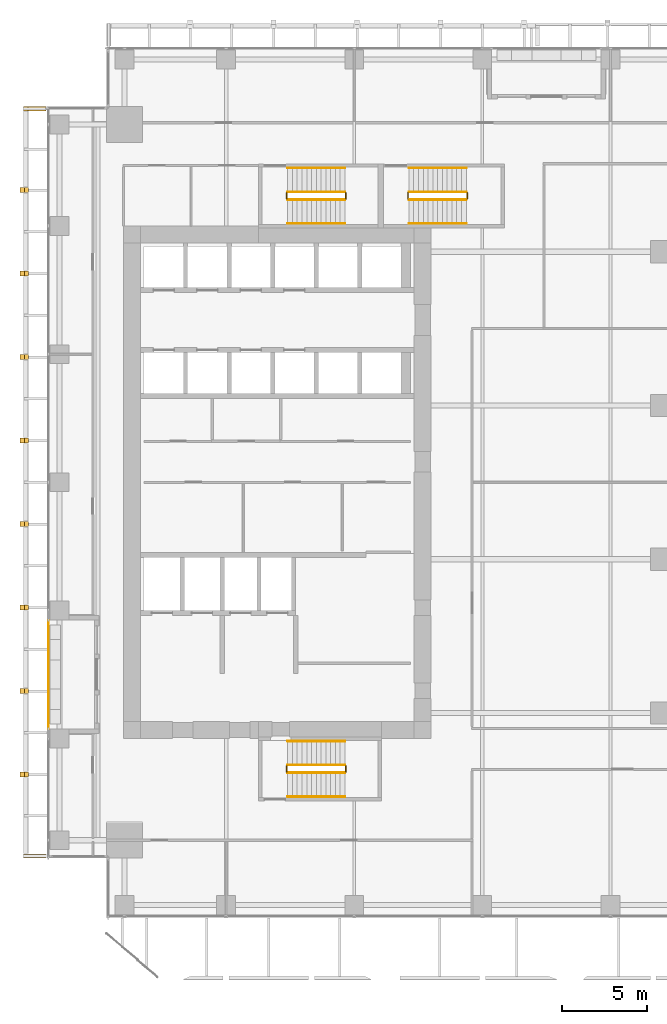
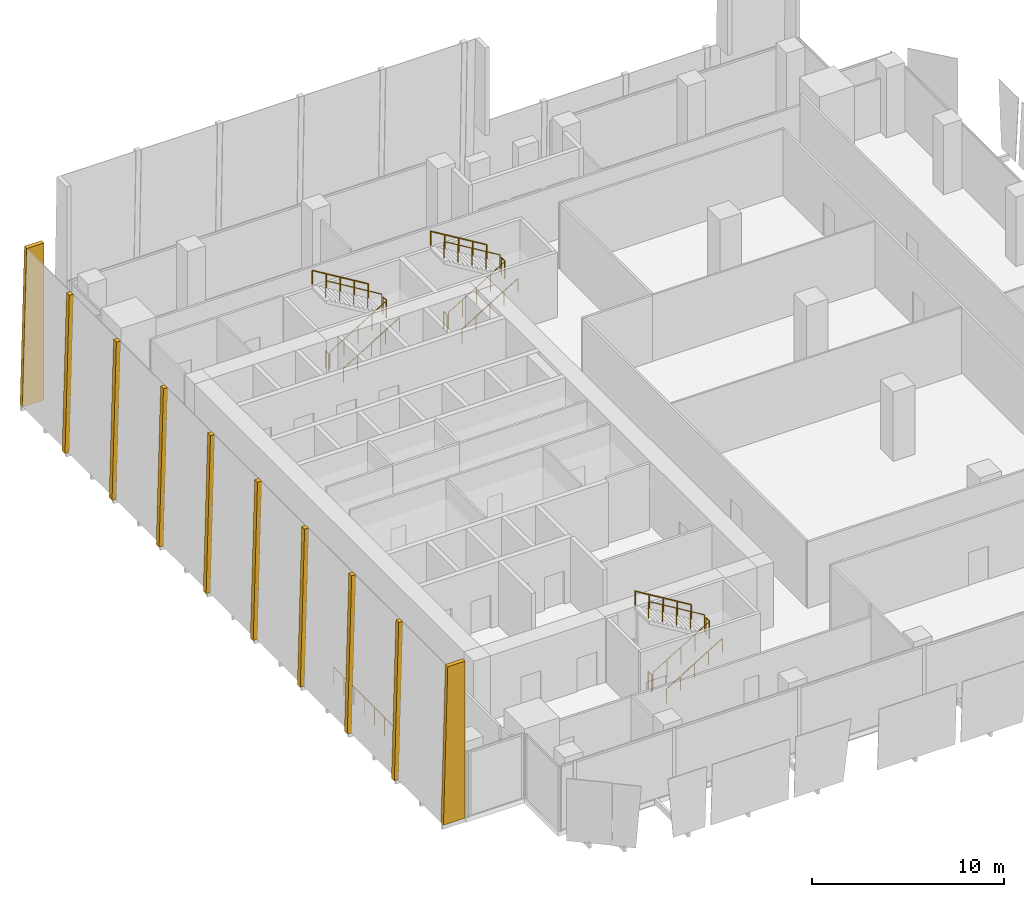
# One storey, part 32 of 34: 19 railings, 10 coverings.
"""IFC4 building model written with IfcOpenShell, lengths in metres."""

from ifc_helpers import new_model, si_unit, direction, frame, origin, origin_2d, place, context, subcontext, project, spatial, polyline, circle, outline, extrude, source, transform, mapped, material, layer, layer_set, type_object, element, save


model = new_model("IFC4")

# Units and contexts
model_context = context("Model", 3, precision=1e-05, world=origin(), true_north=direction((0.0, 1.0)))
body_context = subcontext(model_context, "Body", "Model", "MODEL_VIEW")
ifc_project = project(units=[si_unit("LENGTHUNIT", "METRE"), si_unit("AREAUNIT", "SQUARE_METRE"), si_unit("VOLUMEUNIT", "CUBIC_METRE"), si_unit("PLANEANGLEUNIT", "RADIAN"), si_unit("MASSUNIT", "GRAM", prefix="KILO")], contexts=[model_context])

# Site, building, storey
site_placement = place(None, origin())
site = spatial("IfcSite", under=ifc_project, at=site_placement, CompositionType="ELEMENT")
building_placement = place(site_placement, origin())
building = spatial("IfcBuilding", under=site, at=building_placement, Name="Khomas Fold Tower", CompositionType="ELEMENT")
storey_placement = place(building_placement, frame((0.0, 0.0, 154.300048828125)))
storey = spatial("IfcBuildingStorey", under=building, at=storey_placement, Name="L33", CompositionType="ELEMENT", Elevation=154.300048828125)

# Coverings
ifc_material_1 = material(Name="Natural stone cladding", Category="masonry")
ifc_layer = layer(ifc_material_1, 0.25)
ifc_layer_set = layer_set([ifc_layer], Name="Natural stone cladding")
covering_type = type_object("IfcCoveringType", Name="SK-Karibib marble stone mullion", PredefinedType="CLADDING", material=ifc_layer_set)
for number, where, z_axis, x_axis, name in (
    (1, (-0.0673828125, 9.73876953125, 0.006591796875), (-0.999656815942, 0.0, 0.026196380307), (0.0, 1.0, 0.0), "OUTER SKIN mullion L33 W2"),
    (2, (-0.0673828125, 14.627685546875, 0.006591796875), (-0.999656815942, 0.0, 0.026196380307), (0.0, 1.0, 0.0), "OUTER SKIN mullion L33 W4"),
    (3, (-0.0673828125, 19.5166015625, 0.006591796875), (-0.999656815942, 0.0, 0.026196380307), (0.0, 1.0, 0.0), "OUTER SKIN mullion L33 W6"),
    (4, (-0.0673828125, 24.405517578125, 0.006591796875), (-0.999656815942, 0.0, 0.026196380307), (0.0, 1.0, 0.0), "OUTER SKIN mullion L33 W8"),
    (5, (-0.0673828125, 29.29443359375, 0.006591796875), (-0.999656815942, 0.0, 0.026196380307), (0.0, 1.0, 0.0), "OUTER SKIN mullion L33 W10"),
    (6, (-0.0673828125, 34.183349609375, 0.006591796875), (-0.999656815942, 0.0, 0.026196380307), (0.0, 1.0, 0.0), "OUTER SKIN mullion L33 W12"),
    (7, (-0.0673828125, 39.072265625, 0.006591796875), (-0.999656815942, 0.0, 0.026196380307), (0.0, 1.0, 0.0), "OUTER SKIN mullion L33 W14"),
    (8, (-0.0673828125, 43.961181640625, 0.006591796875), (-0.999656815942, 0.0, 0.026196380307), (0.0, 1.0, 0.0), "OUTER SKIN mullion L33 W16"),
):
    element("IfcCovering", number, at=place(storey_placement, frame(where, z_axis=z_axis, x_axis=x_axis)), inside=storey, type_object=covering_type, Name=name, PredefinedType="CLADDING", context=body_context, shape_type="SweptSolid", body=[
        extrude(outline(polyline([(0.0, 0.0), (0.300048828125, 0.0), (0.300048828125, -9.953367008758342), (0.0, -9.953367008758342), (0.0, 0.0)])), origin(), (0.0, 0.0, -1.0), 0.25),
    ])
covering_1_placement = place(storey_placement, frame((1.449951171875, 5.0, 9.949951171875), z_axis=(0.0, -1.0, 0.0), x_axis=(-1.0, 0.0, 0.0)))
element("IfcCovering", 9, at=covering_1_placement, inside=storey, type_object=covering_type, Name="OUTER SKIN return L33 W1", PredefinedType="CLADDING", context=body_context, shape_type="SweptSolid", body=[
    extrude(outline(polyline([(0.0, 0.0), (1.046875, 0.0), (1.307373046875, 9.949951171875), (0.0, 9.949951171875), (0.0, 0.0)])), origin(), (0.0, 0.0, -1.0), 0.25),
])
covering_2_placement = place(storey_placement, frame((1.449951171875, 49.0, 0.0), z_axis=(0.0, 1.0, 0.0), x_axis=(-1.0, 0.0, 0.0)))
element("IfcCovering", 10, at=covering_2_placement, inside=storey, type_object=covering_type, Name="OUTER SKIN return L33 W2", PredefinedType="CLADDING", context=body_context, shape_type="SweptSolid", body=[
    extrude(outline(polyline([(0.0, 0.0), (1.307373046875, 0.0), (1.046875, 9.949951171875), (0.0, 9.949951171875), (0.0, 0.0)])), origin(), (0.0, 0.0, -1.0), 0.25),
])

# Railings
ifc_material_2 = material(Name="Powder-coated steel", Category="steel")
railing_type_1 = type_object("IfcRailingType", Name="Balcony guard", PredefinedType="GUARDRAIL", material=ifc_material_2)
shared_shape_1 = source(origin(), body_context, "Body", "SweptSolid", [
    extrude(circle(Radius=0.02490234375, at=origin_2d()), frame((0.0, 0.0, 1.125), z_axis=(0.0, 1.0, 0.0), x_axis=(-1.0, 0.0, 0.0)), (0.0, 0.0, 1.0), 6.33984375),
    extrude(circle(Radius=0.02001953125, at=origin_2d()), origin(), (0.0, 0.0, 1.0), 1.099853515625),
    extrude(circle(Radius=0.02001953125, at=origin_2d()), frame((0.0, 1.056640625, 0.0)), (0.0, 0.0, 1.0), 1.099853515625),
    extrude(circle(Radius=0.02001953125, at=origin_2d()), frame((0.0, 2.11328125, 0.0)), (0.0, 0.0, 1.0), 1.099853515625),
    extrude(circle(Radius=0.02001953125, at=origin_2d()), frame((0.0, 3.169921875, 0.0)), (0.0, 0.0, 1.0), 1.099853515625),
    extrude(circle(Radius=0.02001953125, at=origin_2d()), frame((0.0, 4.2265625, 0.0)), (0.0, 0.0, 1.0), 1.099853515625),
    extrude(circle(Radius=0.02001953125, at=origin_2d()), frame((0.0, 5.283203125, 0.0)), (0.0, 0.0, 1.0), 1.099853515625),
    extrude(circle(Radius=0.02001953125, at=origin_2d()), frame((0.0, 6.33984375, 0.0)), (0.0, 0.0, 1.0), 1.099853515625),
])
railing_1_placement = place(storey_placement, frame((1.60009765625, 12.580078125, -0.045166015625)))
element("IfcRailing", 11, at=railing_1_placement, inside=storey, type_object=railing_type_1, Name="Balcony guard BAL-L33-W1", PredefinedType="GUARDRAIL", context=body_context, shape_type="MappedRepresentation", body=[
    mapped(shared_shape_1, transform((0.0, 0.0, 0.0))),
])
ifc_material_3 = material(Name="Steel balustrade", Category="steel")
railing_type_2 = type_object("IfcRailingType", Name="Stair guard", PredefinedType="GUARDRAIL", material=ifc_material_3)
shared_shape_2 = source(origin(), body_context, "Body", "SweptSolid", [
    extrude(circle(Radius=0.02392578125, at=origin_2d()), frame((0.0, 0.0, 1.076171875), z_axis=(0.0, 1.0, 0.0), x_axis=(-1.0, 0.0, 0.0)), (0.0, 0.0, 1.0), 0.349853515625),
    extrude(circle(Radius=0.02099609375, at=origin_2d()), origin(), (0.0, 0.0, 1.0), 1.052001953125),
    extrude(circle(Radius=0.02099609375, at=origin_2d()), frame((0.0, 0.349853515625, 0.0)), (0.0, 0.0, 1.0), 1.052001953125),
])
for number, where, name in (
    (12, (19.010009765625, 43.60009765625, 2.199951171875), "L33 ST1 stair guard 2"),
    (13, (15.550048828125, 43.60009765625, 0.0), "L33 ST1 stair guard 4"),
    (14, (19.010009765625, 10.050048828125, 2.199951171875), "L33 ST2 stair guard 2"),
    (15, (15.550048828125, 10.050048828125, 0.0), "L33 ST2 stair guard 4"),
    (16, (26.110107421875, 43.60009765625, 2.199951171875), "L33 ST3 stair guard 2"),
    (17, (22.64990234375, 43.60009765625, 0.0), "L33 ST3 stair guard 4"),
):
    element("IfcRailing", number, at=place(storey_placement, frame(where)), inside=storey, type_object=railing_type_2, Name=name, PredefinedType="GUARDRAIL", context=body_context, shape_type="MappedRepresentation", body=[
        mapped(shared_shape_2, transform((0.0, 0.0, 0.0))),
    ])
shared_shape_3 = source(origin(), body_context, "Body", "SweptSolid", [
    extrude(circle(Radius=0.02392578125, at=origin_2d()), frame((0.0, 0.0, 1.076171875), z_axis=(0.855820338506, 0.0, 0.51727318527), x_axis=(0.0, 1.0, 0.0)), (0.0, 0.0, 1.0), 3.92578125),
    extrude(circle(Radius=0.02099609375, at=origin_2d()), origin(), (0.0, 0.0, 1.0), 1.052001953125),
    extrude(circle(Radius=0.02099609375, at=origin_2d()), frame((0.83984375, 0.0, 0.5078125)), (0.0, 0.0, 1.0), 1.052001953125),
    extrude(circle(Radius=0.02099609375, at=origin_2d()), frame((1.679931640625, 0.0, 1.015380859375)), (0.0, 0.0, 1.0), 1.052001953125),
    extrude(circle(Radius=0.02099609375, at=origin_2d()), frame((2.52001953125, 0.0, 1.52294921875)), (0.0, 0.0, 1.0), 1.052001953125),
    extrude(circle(Radius=0.02099609375, at=origin_2d()), frame((3.35986328125, 0.0, 2.03076171875)), (0.0, 0.0, 1.0), 1.052001953125),
])
for number, where, name in (
    (18, (15.60009765625, 43.550048828125, 0.169189453125), "L33 ST1 stair guard 1"),
    (19, (15.60009765625, 10.0, 0.169189453125), "L33 ST2 stair guard 1"),
):
    element("IfcRailing", number, at=place(storey_placement, frame(where)), inside=storey, type_object=railing_type_2, Name=name, PredefinedType="GUARDRAIL", context=body_context, shape_type="MappedRepresentation", body=[
        mapped(shared_shape_3, transform((0.0, 0.0, 0.0))),
    ])
shared_shape_4 = source(origin(), body_context, "Body", "SweptSolid", [
    extrude(circle(Radius=0.02392578125, at=origin_2d()), frame((0.0, 0.0, 1.076171875), z_axis=(-0.855820338506, 0.0, 0.51727318527), x_axis=(0.0, -1.0, 0.0)), (0.0, 0.0, 1.0), 3.92578125),
    extrude(circle(Radius=0.02099609375, at=origin_2d()), origin(), (0.0, 0.0, 1.0), 1.052001953125),
    extrude(circle(Radius=0.02099609375, at=origin_2d()), frame((-0.83984375, 0.0, 0.5078125)), (0.0, 0.0, 1.0), 1.052001953125),
    extrude(circle(Radius=0.02099609375, at=origin_2d()), frame((-1.679931640625, 0.0, 1.015380859375)), (0.0, 0.0, 1.0), 1.052001953125),
    extrude(circle(Radius=0.02099609375, at=origin_2d()), frame((-2.52001953125, 0.0, 1.52294921875)), (0.0, 0.0, 1.0), 1.052001953125),
    extrude(circle(Radius=0.02099609375, at=origin_2d()), frame((-3.35986328125, 0.0, 2.03076171875)), (0.0, 0.0, 1.0), 1.052001953125),
])
for number, where, name in (
    (20, (18.9599609375, 44.0, 2.369140625), "L33 ST1 stair guard 3"),
    (21, (18.9599609375, 10.449951171875, 2.369140625), "L33 ST2 stair guard 3"),
):
    element("IfcRailing", number, at=place(storey_placement, frame(where)), inside=storey, type_object=railing_type_2, Name=name, PredefinedType="GUARDRAIL", context=body_context, shape_type="MappedRepresentation", body=[
        mapped(shared_shape_4, transform((0.0, 0.0, 0.0))),
    ])
ifc_material_4 = material(Name="Steel handrail", Category="steel")
railing_type_3 = type_object("IfcRailingType", Name="Stair handrail", PredefinedType="HANDRAIL", material=ifc_material_4)
shared_shape_5 = source(origin(), body_context, "Body", "SweptSolid", [
    extrude(circle(Radius=0.02392578125, at=origin_2d()), frame((0.0, 0.0, 0.8759765625), z_axis=(0.855820338506, 0.0, 0.51727318527), x_axis=(0.0, 1.0, 0.0)), (0.0, 0.0, 1.0), 3.92578125),
    extrude(circle(Radius=0.02099609375, at=origin_2d()), origin(), (0.0, 0.0, 1.0), 0.851806640625),
    extrude(circle(Radius=0.02099609375, at=origin_2d()), frame((0.83984375, 0.0, 0.5078125)), (0.0, 0.0, 1.0), 0.851806640625),
    extrude(circle(Radius=0.02099609375, at=origin_2d()), frame((1.679931640625, 0.0, 1.015380859375)), (0.0, 0.0, 1.0), 0.851806640625),
    extrude(circle(Radius=0.02099609375, at=origin_2d()), frame((2.52001953125, 0.0, 1.52294921875)), (0.0, 0.0, 1.0), 0.851806640625),
    extrude(circle(Radius=0.02099609375, at=origin_2d()), frame((3.35986328125, 0.0, 2.03076171875)), (0.0, 0.0, 1.0), 0.851806640625),
])
for number, where, name in (
    (22, (15.60009765625, 42.14990234375, 0.169189453125), "L33 ST1 stair handrail 1"),
    (23, (15.60009765625, 8.60009765625, 0.169189453125), "L33 ST2 stair handrail 1"),
):
    element("IfcRailing", number, at=place(storey_placement, frame(where)), inside=storey, type_object=railing_type_3, Name=name, PredefinedType="HANDRAIL", context=body_context, shape_type="MappedRepresentation", body=[
        mapped(shared_shape_5, transform((0.0, 0.0, 0.0))),
    ])
shared_shape_6 = source(origin(), body_context, "Body", "SweptSolid", [
    extrude(circle(Radius=0.02392578125, at=origin_2d()), frame((0.0, 0.0, 0.8759765625), z_axis=(-0.855820338506, 0.0, 0.51727318527), x_axis=(0.0, -1.0, 0.0)), (0.0, 0.0, 1.0), 3.92578125),
    extrude(circle(Radius=0.02099609375, at=origin_2d()), origin(), (0.0, 0.0, 1.0), 0.851806640625),
    extrude(circle(Radius=0.02099609375, at=origin_2d()), frame((-0.83984375, 0.0, 0.5078125)), (0.0, 0.0, 1.0), 0.851806640625),
    extrude(circle(Radius=0.02099609375, at=origin_2d()), frame((-1.679931640625, 0.0, 1.015380859375)), (0.0, 0.0, 1.0), 0.851806640625),
    extrude(circle(Radius=0.02099609375, at=origin_2d()), frame((-2.52001953125, 0.0, 1.52294921875)), (0.0, 0.0, 1.0), 0.851806640625),
    extrude(circle(Radius=0.02099609375, at=origin_2d()), frame((-3.35986328125, 0.0, 2.03076171875)), (0.0, 0.0, 1.0), 0.851806640625),
])
for number, where, name in (
    (24, (18.9599609375, 45.39990234375, 2.369140625), "L33 ST1 stair handrail 2"),
    (25, (18.9599609375, 11.85009765625, 2.369140625), "L33 ST2 stair handrail 2"),
):
    element("IfcRailing", number, at=place(storey_placement, frame(where)), inside=storey, type_object=railing_type_3, Name=name, PredefinedType="HANDRAIL", context=body_context, shape_type="MappedRepresentation", body=[
        mapped(shared_shape_6, transform((0.0, 0.0, 0.0))),
    ])
shared_shape_7 = source(origin(), body_context, "Body", "SweptSolid", [
    extrude(circle(Radius=0.02392578125, at=origin_2d()), frame((0.0, 0.0, 1.076171875), z_axis=(0.855836976705, 0.0, 0.517245656632), x_axis=(0.0, 1.0, 0.0)), (0.0, 0.0, 1.0), 3.926025390625),
    extrude(circle(Radius=0.02099609375, at=origin_2d()), origin(), (0.0, 0.0, 1.0), 1.052001953125),
    extrude(circle(Radius=0.02099609375, at=origin_2d()), frame((0.840087890625, 0.0, 0.5078125)), (0.0, 0.0, 1.0), 1.052001953125),
    extrude(circle(Radius=0.02099609375, at=origin_2d()), frame((1.68017578125, 0.0, 1.015380859375)), (0.0, 0.0, 1.0), 1.052001953125),
    extrude(circle(Radius=0.02099609375, at=origin_2d()), frame((2.52001953125, 0.0, 1.52294921875)), (0.0, 0.0, 1.0), 1.052001953125),
    extrude(circle(Radius=0.02099609375, at=origin_2d()), frame((3.360107421875, 0.0, 2.03076171875)), (0.0, 0.0, 1.0), 1.052001953125),
])
railing_2_placement = place(storey_placement, frame((22.699951171875, 43.550048828125, 0.169189453125)))
element("IfcRailing", 26, at=railing_2_placement, inside=storey, type_object=railing_type_2, Name="L33 ST3 stair guard 1", PredefinedType="GUARDRAIL", context=body_context, shape_type="MappedRepresentation", body=[
    mapped(shared_shape_7, transform((0.0, 0.0, 0.0))),
])
shared_shape_8 = source(origin(), body_context, "Body", "SweptSolid", [
    extrude(circle(Radius=0.02392578125, at=origin_2d()), frame((0.0, 0.0, 1.076171875), z_axis=(-0.855836976705, 0.0, 0.517245656632), x_axis=(0.0, -1.0, 0.0)), (0.0, 0.0, 1.0), 3.926025390625),
    extrude(circle(Radius=0.02099609375, at=origin_2d()), origin(), (0.0, 0.0, 1.0), 1.052001953125),
    extrude(circle(Radius=0.02099609375, at=origin_2d()), frame((-0.840087890625, 0.0, 0.5078125)), (0.0, 0.0, 1.0), 1.052001953125),
    extrude(circle(Radius=0.02099609375, at=origin_2d()), frame((-1.68017578125, 0.0, 1.015380859375)), (0.0, 0.0, 1.0), 1.052001953125),
    extrude(circle(Radius=0.02099609375, at=origin_2d()), frame((-2.52001953125, 0.0, 1.52294921875)), (0.0, 0.0, 1.0), 1.052001953125),
    extrude(circle(Radius=0.02099609375, at=origin_2d()), frame((-3.360107421875, 0.0, 2.03076171875)), (0.0, 0.0, 1.0), 1.052001953125),
])
railing_3_placement = place(storey_placement, frame((26.06005859375, 44.0, 2.369140625)))
element("IfcRailing", 27, at=railing_3_placement, inside=storey, type_object=railing_type_2, Name="L33 ST3 stair guard 3", PredefinedType="GUARDRAIL", context=body_context, shape_type="MappedRepresentation", body=[
    mapped(shared_shape_8, transform((0.0, 0.0, 0.0))),
])
shared_shape_9 = source(origin(), body_context, "Body", "SweptSolid", [
    extrude(circle(Radius=0.02392578125, at=origin_2d()), frame((0.0, 0.0, 0.8759765625), z_axis=(0.855836976705, 0.0, 0.517245656632), x_axis=(0.0, 1.0, 0.0)), (0.0, 0.0, 1.0), 3.926025390625),
    extrude(circle(Radius=0.02099609375, at=origin_2d()), origin(), (0.0, 0.0, 1.0), 0.851806640625),
    extrude(circle(Radius=0.02099609375, at=origin_2d()), frame((0.840087890625, 0.0, 0.5078125)), (0.0, 0.0, 1.0), 0.851806640625),
    extrude(circle(Radius=0.02099609375, at=origin_2d()), frame((1.68017578125, 0.0, 1.015380859375)), (0.0, 0.0, 1.0), 0.851806640625),
    extrude(circle(Radius=0.02099609375, at=origin_2d()), frame((2.52001953125, 0.0, 1.52294921875)), (0.0, 0.0, 1.0), 0.851806640625),
    extrude(circle(Radius=0.02099609375, at=origin_2d()), frame((3.360107421875, 0.0, 2.03076171875)), (0.0, 0.0, 1.0), 0.851806640625),
])
railing_4_placement = place(storey_placement, frame((22.699951171875, 42.14990234375, 0.169189453125)))
element("IfcRailing", 28, at=railing_4_placement, inside=storey, type_object=railing_type_3, Name="L33 ST3 stair handrail 1", PredefinedType="HANDRAIL", context=body_context, shape_type="MappedRepresentation", body=[
    mapped(shared_shape_9, transform((0.0, 0.0, 0.0))),
])
shared_shape_10 = source(origin(), body_context, "Body", "SweptSolid", [
    extrude(circle(Radius=0.02392578125, at=origin_2d()), frame((0.0, 0.0, 0.8759765625), z_axis=(-0.855836976705, 0.0, 0.517245656632), x_axis=(0.0, -1.0, 0.0)), (0.0, 0.0, 1.0), 3.926025390625),
    extrude(circle(Radius=0.02099609375, at=origin_2d()), origin(), (0.0, 0.0, 1.0), 0.851806640625),
    extrude(circle(Radius=0.02099609375, at=origin_2d()), frame((-0.840087890625, 0.0, 0.5078125)), (0.0, 0.0, 1.0), 0.851806640625),
    extrude(circle(Radius=0.02099609375, at=origin_2d()), frame((-1.68017578125, 0.0, 1.015380859375)), (0.0, 0.0, 1.0), 0.851806640625),
    extrude(circle(Radius=0.02099609375, at=origin_2d()), frame((-2.52001953125, 0.0, 1.52294921875)), (0.0, 0.0, 1.0), 0.851806640625),
    extrude(circle(Radius=0.02099609375, at=origin_2d()), frame((-3.360107421875, 0.0, 2.03076171875)), (0.0, 0.0, 1.0), 0.851806640625),
])
railing_5_placement = place(storey_placement, frame((26.06005859375, 45.39990234375, 2.369140625)))
element("IfcRailing", 29, at=railing_5_placement, inside=storey, type_object=railing_type_3, Name="L33 ST3 stair handrail 2", PredefinedType="HANDRAIL", context=body_context, shape_type="MappedRepresentation", body=[
    mapped(shared_shape_10, transform((0.0, 0.0, 0.0))),
])

save(model, "model.ifc")
